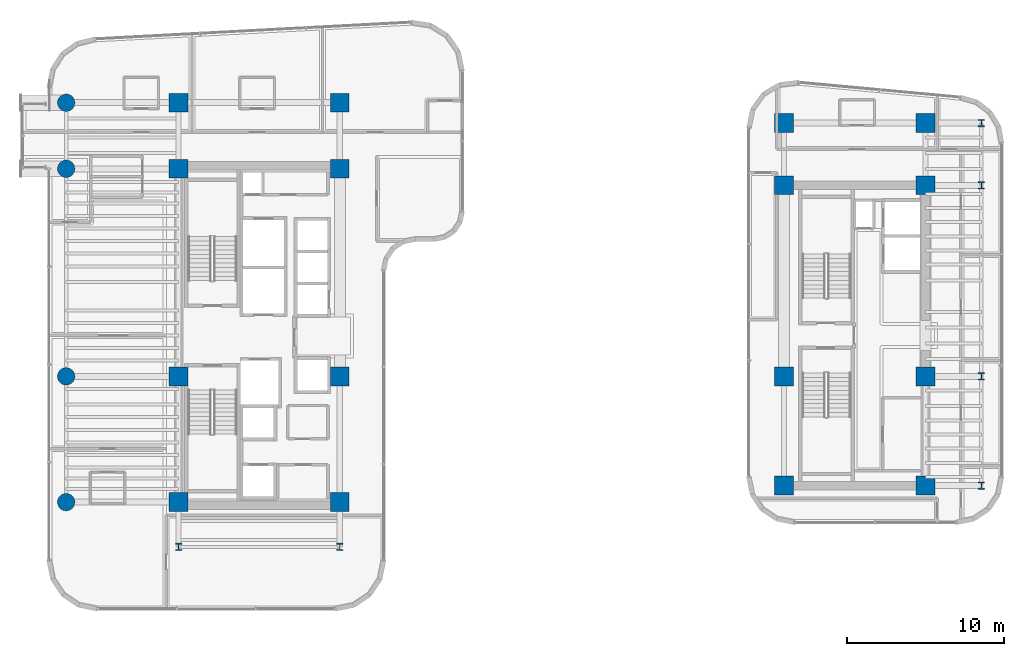
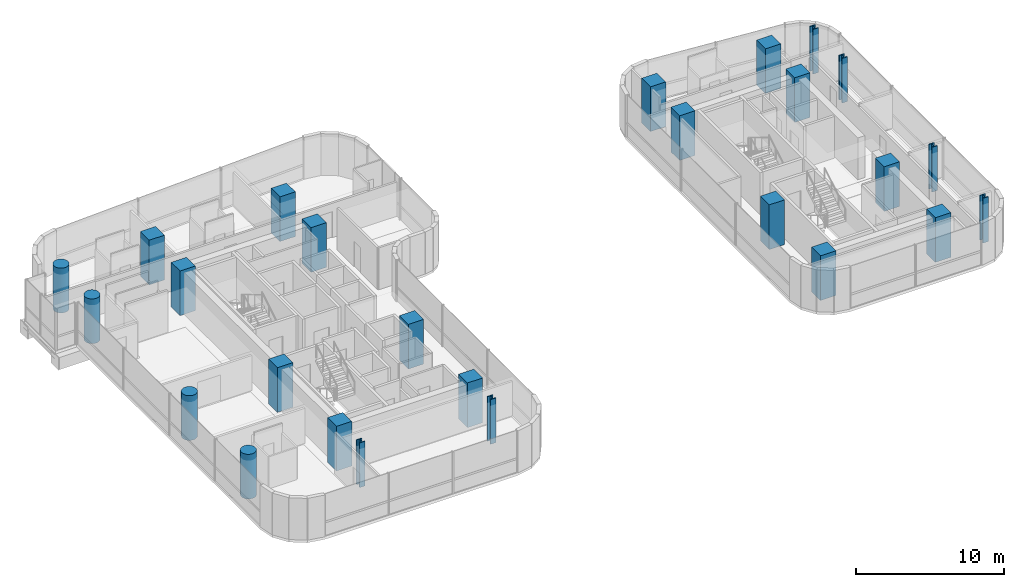
# One storey, part 1 of 33: 26 columns.
"""IFC4 building model written with IfcOpenShell, lengths in metres."""

from ifc_helpers import new_model, si_unit, direction, frame, origin, origin_2d, place, context, subcontext, project, spatial, rectangle, circle, i_section, extrude, source, transform, mapped, material, material_profile, profile_set, type_object, element, save


model = new_model("IFC4")

# Units and contexts
model_context = context("Model", 3, precision=1e-05, world=origin(), true_north=direction((0.0, 1.0)))
body_context = subcontext(model_context, "Body", "Model", "MODEL_VIEW")
ifc_project = project(units=[si_unit("LENGTHUNIT", "METRE"), si_unit("AREAUNIT", "SQUARE_METRE"), si_unit("VOLUMEUNIT", "CUBIC_METRE"), si_unit("PLANEANGLEUNIT", "RADIAN"), si_unit("MASSUNIT", "GRAM", prefix="KILO")], contexts=[model_context])

# Site, building, storey
site_placement = place(None, origin())
site = spatial("IfcSite", under=ifc_project, at=site_placement, CompositionType="ELEMENT")
building_placement = place(site_placement, origin())
building = spatial("IfcBuilding", under=site, at=building_placement, Name="Valdorenza Pilgrim Sanctuary Tower", CompositionType="ELEMENT")
storey_placement = place(building_placement, frame((0.0, 0.0, 157.5)))
storey = spatial("IfcBuildingStorey", under=building, at=storey_placement, Name="L40", CompositionType="ELEMENT", Elevation=157.5)

# Columns
ifc_material_1 = material(Name="Concrete C50/60", Category="concrete")
ifc_material_profile_1 = material_profile(ifc_material_1, circle(Radius=0.550048828125, at=origin_2d()), Name="RC D1100")
ifc_profile_set_1 = profile_set([ifc_material_profile_1], Name="Concrete C50/60")
column_type_1 = type_object("IfcColumnType", Name="COL-RND-1100", PredefinedType="COLUMN", material=ifc_profile_set_1)
shared_shape_1 = source(origin(), body_context, "Body", "SweptSolid", [
    extrude(circle(Radius=0.550048828125, at=origin_2d()), origin(), (0.0, 0.0, 1.0), 3.699951171875),
])
for number, where, z_axis, x_axis, name in (
    (1, (-29.800048828125, -10.60009765625, 0.0), (0.0, 0.0, 1.0), (1.0, 0.0, 0.0), "L40 Perimeter Column WA-W-S1"),
    (2, (-29.800048828125, -2.60009765625, 0.0), (0.0, 0.0, 1.0), (1.0, 0.0, 0.0), "L40 Perimeter Column WA-W-M0"),
    (3, (-29.800048828125, 10.60009765625, 0.0), (0.0, 0.0, 1.0), (1.0, 0.0, 0.0), "L40 Perimeter Column WA-W-N1"),
    (4, (-29.800048828125, 14.800048828125, 0.0), (0.0, 0.0, 1.0), (1.0, 0.0, 0.0), "L40 Perimeter Column WA-W-N2"),
):
    element("IfcColumn", number, at=place(storey_placement, frame(where, z_axis=z_axis, x_axis=x_axis)), inside=storey, type_object=column_type_1, Name=name, PredefinedType="COLUMN", context=body_context, shape_type="MappedRepresentation", body=[
        mapped(shared_shape_1, transform((0.0, 0.0, 0.0), x_axis=(1.0, 0.0, 0.0), y_axis=(0.0, 1.0, 0.0), z_axis=(0.0, 0.0, 1.0), scale=1.0)),
    ])
ifc_material_2 = material(Name="Concrete C60/75", Category="concrete")
ifc_material_profile_2 = material_profile(ifc_material_2, rectangle(XDim=1.199951171875, YDim=1.199951171875, at=origin_2d()), Name="RC 1200x1200")
ifc_profile_set_2 = profile_set([ifc_material_profile_2], Name="Concrete C60/75")
column_type_2 = type_object("IfcColumnType", Name="COL-Z2-1200", PredefinedType="COLUMN", material=ifc_profile_set_2)
shared_shape_2 = source(origin(), body_context, "Body", "SweptSolid", [
    extrude(rectangle(XDim=1.199951171875, YDim=1.199951171875, at=origin_2d()), origin(), (0.0, 0.0, 1.0), 3.699951171875),
])
for number, where, z_axis, x_axis, name in (
    (5, (-22.64990234375, -10.60009765625, 0.0), (0.0, 0.0, 1.0), (1.0, 0.0, 0.0), "L40 Column CA-W-S1"),
    (6, (-12.39990234375, -10.60009765625, 0.0), (0.0, 0.0, 1.0), (1.0, 0.0, 0.0), "L40 Column CA-E-S1"),
    (7, (-22.64990234375, -2.60009765625, 0.0), (0.0, 0.0, 1.0), (1.0, 0.0, 0.0), "L40 Column CA-W-M0"),
    (8, (-12.39990234375, -2.60009765625, 0.0), (0.0, 0.0, 1.0), (1.0, 0.0, 0.0), "L40 Column CA-E-M0"),
    (9, (-22.64990234375, 10.60009765625, 0.0), (0.0, 0.0, 1.0), (1.0, 0.0, 0.0), "L40 Column CA-W-N1"),
    (10, (-12.39990234375, 10.60009765625, 0.0), (0.0, 0.0, 1.0), (1.0, 0.0, 0.0), "L40 Column CA-E-N1"),
    (11, (-22.64990234375, 14.800048828125, 0.0), (0.0, 0.0, 1.0), (1.0, 0.0, 0.0), "L40 Column CA-W-N2"),
    (12, (-12.39990234375, 14.800048828125, 0.0), (0.0, 0.0, 1.0), (1.0, 0.0, 0.0), "L40 Column CA-E-N2"),
    (13, (15.85009765625, -9.550048828125, 0.0), (0.0, 0.0, 1.0), (1.0, 0.0, 0.0), "L40 Column CB-W-S1"),
    (14, (24.85009765625, -9.550048828125, 0.0), (0.0, 0.0, 1.0), (1.0, 0.0, 0.0), "L40 Column CB-E-S1"),
    (15, (15.85009765625, -2.60009765625, 0.0), (0.0, 0.0, 1.0), (1.0, 0.0, 0.0), "L40 Column CB-W-M0"),
    (16, (24.85009765625, -2.60009765625, 0.0), (0.0, 0.0, 1.0), (1.0, 0.0, 0.0), "L40 Column CB-E-M0"),
    (17, (15.85009765625, 9.550048828125, 0.0), (0.0, 0.0, 1.0), (1.0, 0.0, 0.0), "L40 Column CB-W-N1"),
    (18, (24.85009765625, 9.550048828125, 0.0), (0.0, 0.0, 1.0), (1.0, 0.0, 0.0), "L40 Column CB-E-N1"),
    (19, (15.85009765625, 13.5, 0.0), (0.0, 0.0, 1.0), (1.0, 0.0, 0.0), "L40 Column CB-W-N2"),
    (20, (24.85009765625, 13.5, 0.0), (0.0, 0.0, 1.0), (1.0, 0.0, 0.0), "L40 Column CB-E-N2"),
):
    element("IfcColumn", number, at=place(storey_placement, frame(where, z_axis=z_axis, x_axis=x_axis)), inside=storey, type_object=column_type_2, Name=name, PredefinedType="COLUMN", context=body_context, shape_type="MappedRepresentation", body=[
        mapped(shared_shape_2, transform((0.0, 0.0, 0.0), x_axis=(1.0, 0.0, 0.0), y_axis=(0.0, 1.0, 0.0), z_axis=(0.0, 0.0, 1.0), scale=1.0)),
    ])
ifc_material_3 = material(Name="Steel ASTM A992 Grade 50", Category="steel")
ifc_material_profile_3 = material_profile(ifc_material_3, i_section(OverallWidth=0.424072265625, OverallDepth=0.47412109375, WebThickness=0.047607421875, FlangeThickness=0.0771484375, at=origin_2d()), Name="W14X426")
ifc_profile_set_3 = profile_set([ifc_material_profile_3], Name="Steel ASTM A992 Grade 50")
column_type_3 = type_object("IfcColumnType", Name="COL-STL-W426", PredefinedType="COLUMN", material=ifc_profile_set_3)
shared_shape_3 = source(origin(), body_context, "Body", "SweptSolid", [
    extrude(i_section(OverallWidth=0.424072265625, OverallDepth=0.47412109375, WebThickness=0.047607421875, FlangeThickness=0.0771484375, at=origin_2d()), origin(), (0.0, 0.0, 1.0), 3.699951171875),
])
for number, where, z_axis, x_axis, name in (
    (21, (-22.64990234375, -13.449951171875, 0.0), (0.0, 0.0, 1.0), (1.0, 0.0, 0.0), "L40 Column WA-S-W"),
    (22, (-12.39990234375, -13.449951171875, 0.0), (0.0, 0.0, 1.0), (1.0, 0.0, 0.0), "L40 Column WA-S-E"),
    (23, (28.39990234375, -9.550048828125, 0.0), (0.0, 0.0, 1.0), (1.0, 0.0, 0.0), "L40 Perimeter Column WB-E-S1"),
    (24, (28.39990234375, -2.60009765625, 0.0), (0.0, 0.0, 1.0), (1.0, 0.0, 0.0), "L40 Perimeter Column WB-E-M0"),
    (25, (28.39990234375, 9.550048828125, 0.0), (0.0, 0.0, 1.0), (1.0, 0.0, 0.0), "L40 Perimeter Column WB-E-N1"),
    (26, (28.39990234375, 13.5, 0.0), (0.0, 0.0, 1.0), (1.0, 0.0, 0.0), "L40 Perimeter Column WB-E-N2"),
):
    element("IfcColumn", number, at=place(storey_placement, frame(where, z_axis=z_axis, x_axis=x_axis)), inside=storey, type_object=column_type_3, Name=name, PredefinedType="COLUMN", context=body_context, shape_type="MappedRepresentation", body=[
        mapped(shared_shape_3, transform((0.0, 0.0, 0.0), x_axis=(1.0, 0.0, 0.0), y_axis=(0.0, 1.0, 0.0), z_axis=(0.0, 0.0, 1.0), scale=1.0)),
    ])

save(model, "model.ifc")
